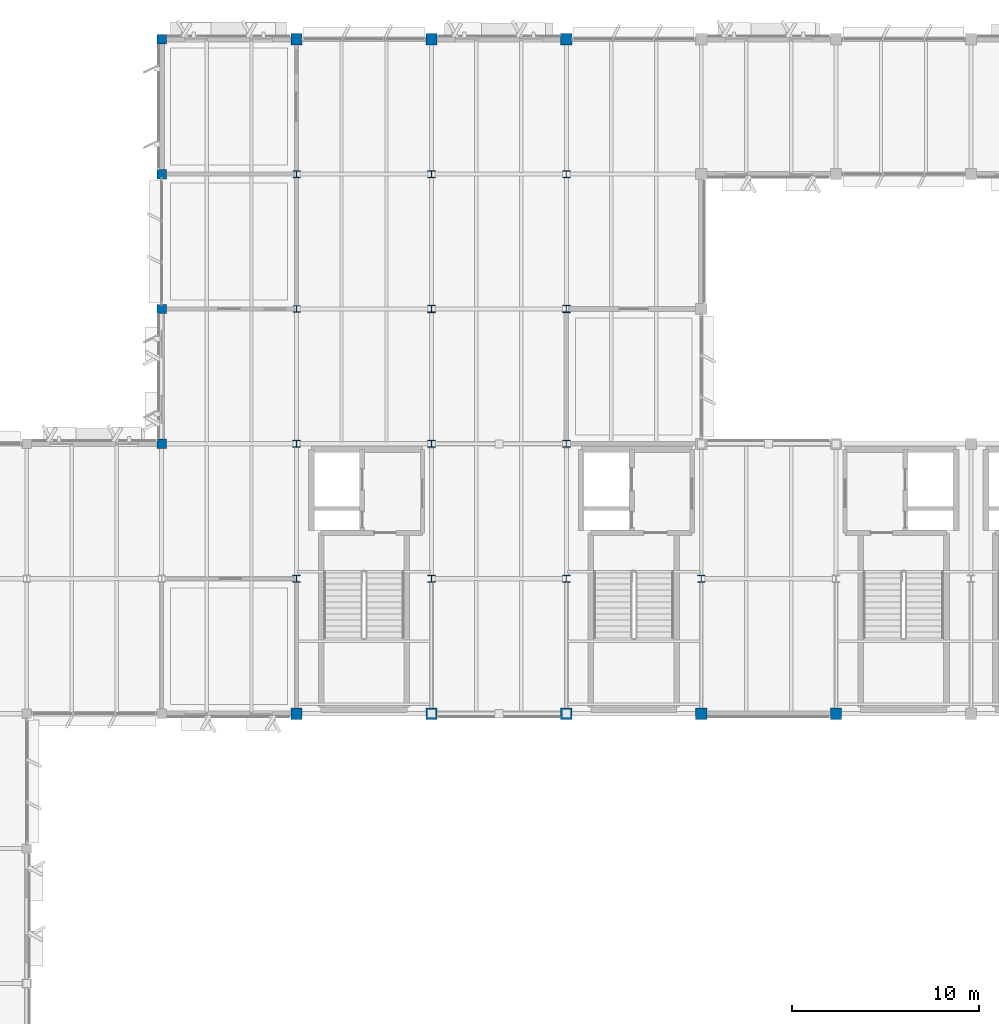
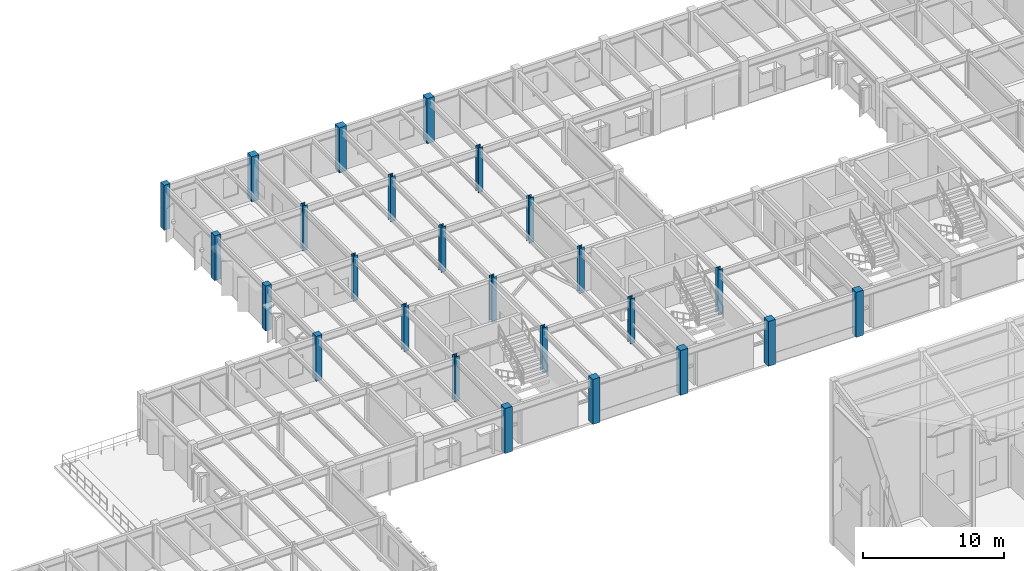
# One storey, part 9 of 82: 25 columns.
"""IFC4 building model written with IfcOpenShell, lengths in metres."""

from ifc_helpers import new_model, si_unit, direction, frame, origin, origin_2d, place, context, subcontext, project, spatial, rectangle, i_section, extrude, material, material_profile, profile_set, type_object, element, save


model = new_model("IFC4")

# Units and contexts
model_context = context("Model", 3, precision=1e-05, world=origin(), true_north=direction((0.0, 1.0)))
body_context = subcontext(model_context, "Body", "Model", "MODEL_VIEW")
ifc_project = project(units=[si_unit("LENGTHUNIT", "METRE"), si_unit("AREAUNIT", "SQUARE_METRE"), si_unit("VOLUMEUNIT", "CUBIC_METRE"), si_unit("PLANEANGLEUNIT", "RADIAN"), si_unit("MASSUNIT", "GRAM", prefix="KILO")], contexts=[model_context])

# Site, building, storey
site_placement = place(None, origin())
site = spatial("IfcSite", under=ifc_project, at=site_placement, CompositionType="ELEMENT")
building_placement = place(site_placement, origin())
building = spatial("IfcBuilding", under=site, at=building_placement, Name="Sillqori Civic Hall", CompositionType="ELEMENT")
storey_placement = place(building_placement, frame((0.0, 0.0, 14.10009765625)))
storey = spatial("IfcBuildingStorey", under=building, at=storey_placement, Name="L04", CompositionType="ELEMENT", Elevation=14.10009765625)

# Columns
ifc_material_1 = material(Name="Concrete C35/45 (H35)", Category="concrete")
ifc_material_profile_1 = material_profile(ifc_material_1, rectangle(XDim=0.5, YDim=0.5, at=origin_2d()), Name="RC 500x500")
ifc_profile_set_1 = profile_set([ifc_material_profile_1], Name="Concrete C35/45 (H35)")
column_type_1 = type_object("IfcColumnType", Name="COL-RC500", PredefinedType="COLUMN", material=ifc_profile_set_1)
for number, where, z_axis, x_axis, name in (
    (1, (43.199951171875, 93.60009765625, 0.0), (0.0, 0.0, 1.0), (1.0, 0.0, 0.0), "L04 column 6-13"),
    (2, (43.199951171875, 100.800048828125, 0.0), (0.0, 0.0, 1.0), (1.0, 0.0, 0.0), "L04 column 6-14"),
    (3, (43.199951171875, 108.0, 0.0), (0.0, 0.0, 1.0), (1.0, 0.0, 0.0), "L04 column 6-15"),
    (4, (43.199951171875, 115.199951171875, 0.0), (0.0, 0.0, 1.0), (1.0, 0.0, 0.0), "L04 column 6-16"),
):
    element("IfcColumn", number, at=place(storey_placement, frame(where, z_axis=z_axis, x_axis=x_axis)), inside=storey, type_object=column_type_1, Name=name, PredefinedType="COLUMN", context=body_context, shape_type="SweptSolid", body=[
        extrude(rectangle(XDim=0.5, YDim=0.5, at=origin_2d()), origin(), (0.0, 0.0, 1.0), 3.89990234375),
    ])
ifc_material_profile_2 = material_profile(ifc_material_1, rectangle(XDim=0.60009765625, YDim=0.60009765625, at=origin_2d()), Name="RC 600x600")
ifc_profile_set_2 = profile_set([ifc_material_profile_2], Name="Concrete C35/45 (H35)")
column_type_2 = type_object("IfcColumnType", Name="COL-RC600", PredefinedType="COLUMN", material=ifc_profile_set_2)
for number, where, z_axis, x_axis, name in (
    (5, (50.39990234375, 79.199951171875, 0.0), (0.0, 0.0, 1.0), (1.0, 0.0, 0.0), "L04 column 7-11"),
    (6, (50.39990234375, 115.199951171875, 0.0), (0.0, 0.0, 1.0), (1.0, 0.0, 0.0), "L04 column 7-16"),
    (7, (57.60009765625, 79.199951171875, 0.0), (0.0, 0.0, 1.0), (1.0, 0.0, 0.0), "L04 column 8-11"),
    (8, (57.60009765625, 115.199951171875, 0.0), (0.0, 0.0, 1.0), (1.0, 0.0, 0.0), "L04 column 8-16"),
    (9, (64.800048828125, 79.199951171875, 0.0), (0.0, 0.0, 1.0), (1.0, 0.0, 0.0), "L04 column 9-11"),
    (10, (64.800048828125, 115.199951171875, 0.0), (0.0, 0.0, 1.0), (1.0, 0.0, 0.0), "L04 column 9-16"),
    (11, (72.0, 79.199951171875, 0.0), (0.0, 0.0, 1.0), (1.0, 0.0, 0.0), "L04 column 10-11"),
    (12, (79.199951171875, 79.199951171875, 0.0), (0.0, 0.0, 1.0), (1.0, 0.0, 0.0), "L04 column 11-11"),
):
    element("IfcColumn", number, at=place(storey_placement, frame(where, z_axis=z_axis, x_axis=x_axis)), inside=storey, type_object=column_type_2, Name=name, PredefinedType="COLUMN", context=body_context, shape_type="SweptSolid", body=[
        extrude(rectangle(XDim=0.60009765625, YDim=0.60009765625, at=origin_2d()), origin(), (0.0, 0.0, 1.0), 3.89990234375),
    ])
ifc_material_2 = material(Name="Steel ASTM A992", Category="steel")
ifc_material_profile_3 = material_profile(ifc_material_2, i_section(OverallWidth=0.373046875, OverallDepth=0.367919921875, WebThickness=0.014892578125, FlangeThickness=0.02392578125, FilletRadius=0.014892578125, at=origin_2d()), Name="W14X120")
ifc_profile_set_3 = profile_set([ifc_material_profile_3], Name="Steel ASTM A992")
column_type_3 = type_object("IfcColumnType", Name="COL-W14X120", PredefinedType="COLUMN", material=ifc_profile_set_3)
for number, where, z_axis, x_axis, name in (
    (13, (50.39990234375, 100.800048828125, 0.0), (0.0, 0.0, 1.0), (1.0, 0.0, 0.0), "L04 column 7-14"),
    (14, (50.39990234375, 108.0, 0.0), (0.0, 0.0, 1.0), (1.0, 0.0, 0.0), "L04 column 7-15"),
):
    element("IfcColumn", number, at=place(storey_placement, frame(where, z_axis=z_axis, x_axis=x_axis)), inside=storey, type_object=column_type_3, Name=name, PredefinedType="COLUMN", context=body_context, shape_type="SweptSolid", body=[
        extrude(i_section(OverallWidth=0.373046875, OverallDepth=0.367919921875, WebThickness=0.014892578125, FlangeThickness=0.02392578125, FilletRadius=0.014892578125, at=origin_2d()), origin(), (0.0, 0.0, 1.0), 3.89990234375),
    ])
ifc_material_profile_4 = material_profile(ifc_material_2, i_section(OverallWidth=0.39404296875, OverallDepth=0.3759765625, WebThickness=0.017333984375, FlangeThickness=0.027587890625, FilletRadius=0.014892578125, at=origin_2d()), Name="W14X145")
ifc_profile_set_4 = profile_set([ifc_material_profile_4], Name="Steel ASTM A992")
column_type_4 = type_object("IfcColumnType", Name="COL-W14X145", PredefinedType="COLUMN", material=ifc_profile_set_4)
for number, where, z_axis, x_axis, name in (
    (15, (50.39990234375, 86.39990234375, 0.0), (0.0, 0.0, 1.0), (1.0, 0.0, 0.0), "L04 column 7-12"),
    (16, (50.39990234375, 93.60009765625, 0.0), (0.0, 0.0, 1.0), (1.0, 0.0, 0.0), "L04 column 7-13"),
    (17, (57.60009765625, 86.39990234375, 0.0), (0.0, 0.0, 1.0), (1.0, 0.0, 0.0), "L04 column 8-12"),
    (18, (57.60009765625, 93.60009765625, 0.0), (0.0, 0.0, 1.0), (1.0, 0.0, 0.0), "L04 column 8-13"),
    (19, (57.60009765625, 100.800048828125, 0.0), (0.0, 0.0, 1.0), (1.0, 0.0, 0.0), "L04 column 8-14"),
    (20, (57.60009765625, 108.0, 0.0), (0.0, 0.0, 1.0), (1.0, 0.0, 0.0), "L04 column 8-15"),
    (21, (64.800048828125, 86.39990234375, 0.0), (0.0, 0.0, 1.0), (1.0, 0.0, 0.0), "L04 column 9-12"),
    (22, (64.800048828125, 93.60009765625, 0.0), (0.0, 0.0, 1.0), (1.0, 0.0, 0.0), "L04 column 9-13"),
    (23, (64.800048828125, 100.800048828125, 0.0), (0.0, 0.0, 1.0), (1.0, 0.0, 0.0), "L04 column 9-14"),
    (24, (64.800048828125, 108.0, 0.0), (0.0, 0.0, 1.0), (1.0, 0.0, 0.0), "L04 column 9-15"),
    (25, (72.0, 86.39990234375, 0.0), (0.0, 0.0, 1.0), (1.0, 0.0, 0.0), "L04 column 10-12"),
):
    element("IfcColumn", number, at=place(storey_placement, frame(where, z_axis=z_axis, x_axis=x_axis)), inside=storey, type_object=column_type_4, Name=name, PredefinedType="COLUMN", context=body_context, shape_type="SweptSolid", body=[
        extrude(i_section(OverallWidth=0.39404296875, OverallDepth=0.3759765625, WebThickness=0.017333984375, FlangeThickness=0.027587890625, FilletRadius=0.014892578125, at=origin_2d()), origin(), (0.0, 0.0, 1.0), 3.89990234375),
    ])

save(model, "model.ifc")
